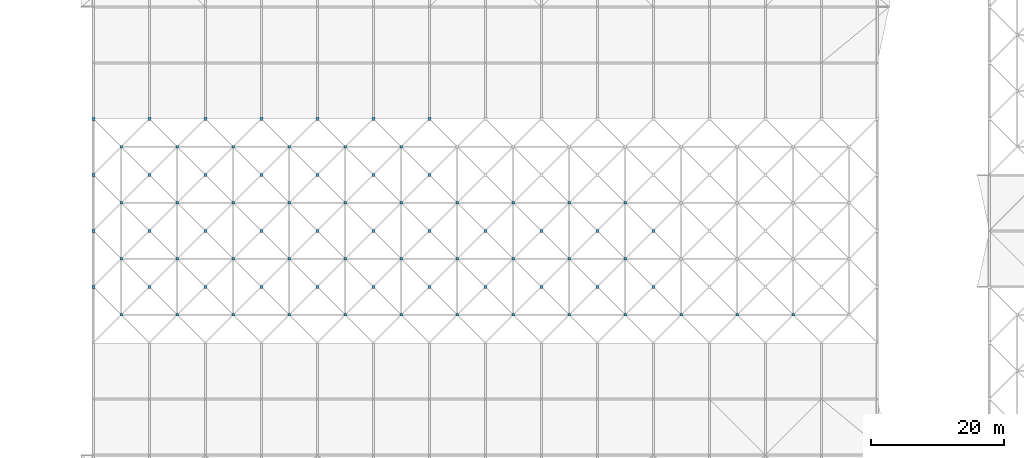
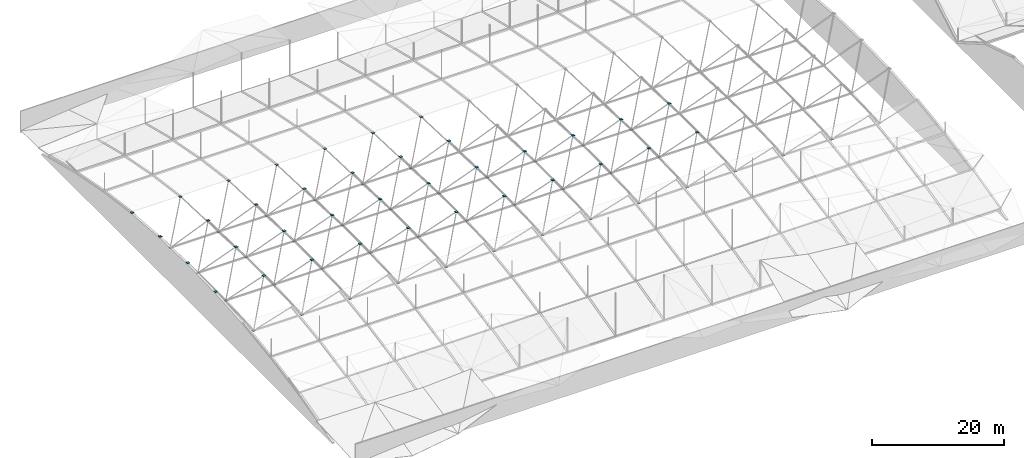
# One storey, part 104 of 111: 75 discrete accessories.
"""IFC4 building model written with IfcOpenShell, lengths in metres."""

from ifc_helpers import new_model, si_unit, direction, frame, origin, origin_2d, place, context, subcontext, project, spatial, rectangle, extrude, material, layer, layer_set, type_object, element, save


model = new_model("IFC4")

# Units and contexts
model_context = context("Model", 3, precision=1e-05, world=origin(), true_north=direction((0.0, 1.0)))
body_context = subcontext(model_context, "Body", "Model", "MODEL_VIEW")
ifc_project = project(units=[si_unit("LENGTHUNIT", "METRE"), si_unit("AREAUNIT", "SQUARE_METRE"), si_unit("VOLUMEUNIT", "CUBIC_METRE"), si_unit("PLANEANGLEUNIT", "RADIAN"), si_unit("MASSUNIT", "GRAM", prefix="KILO")], contexts=[model_context])

# Site, building, storey
site_placement = place(None, origin())
site = spatial("IfcSite", under=ifc_project, at=site_placement, CompositionType="ELEMENT")
building_placement = place(site_placement, origin())
building = spatial("IfcBuilding", under=site, at=building_placement, Name="Rain Tree Exposition and Congress Centre", CompositionType="ELEMENT")
storey_placement = place(building_placement, frame((0.0, 0.0, 19.5)))
storey = spatial("IfcBuildingStorey", under=building, at=storey_placement, Name="RF", CompositionType="ELEMENT", Elevation=19.5)

# Discrete accessories
ifc_material_1 = material(Name="Steel plate S355J2", Category="steel")
ifc_layer_1 = layer(ifc_material_1, 0.02001953125)
ifc_layer_set_1 = layer_set([ifc_layer_1], Name="Steel plate S355J2")
discrete_accessory_type_1 = type_object("IfcDiscreteAccessoryType", Name="Brace node plate 400x400x20", PredefinedType="BRACKET", material=ifc_layer_set_1)
for number, where, z_axis, x_axis, name in (
    (1, (12.60009765625, 138.60009765625, 0.378173828125), (0.0, 0.0, 1.0), (1.0, 0.0, 0.0), "Brace node plate 400"),
    (2, (21.0, 138.60009765625, 0.378173828125), (0.0, 0.0, 1.0), (1.0, 0.0, 0.0), "Brace node plate 400"),
    (3, (29.39990234375, 138.60009765625, 0.378173828125), (0.0, 0.0, 1.0), (1.0, 0.0, 0.0), "Brace node plate 400"),
    (4, (37.800048828125, 138.60009765625, 0.378173828125), (0.0, 0.0, 1.0), (1.0, 0.0, 0.0), "Brace node plate 400"),
    (5, (46.199951171875, 138.60009765625, 0.378173828125), (0.0, 0.0, 1.0), (1.0, 0.0, 0.0), "Brace node plate 400"),
    (6, (54.60009765625, 138.60009765625, 0.378173828125), (0.0, 0.0, 1.0), (1.0, 0.0, 0.0), "Brace node plate 400"),
    (7, (63.0, 138.60009765625, 0.378173828125), (0.0, 0.0, 1.0), (1.0, 0.0, 0.0), "Brace node plate 400"),
    (8, (71.39990234375, 138.60009765625, 0.378173828125), (0.0, 0.0, 1.0), (1.0, 0.0, 0.0), "Brace node plate 400"),
    (9, (79.800048828125, 138.60009765625, 0.378173828125), (0.0, 0.0, 1.0), (1.0, 0.0, 0.0), "Brace node plate 400"),
    (10, (88.199951171875, 138.60009765625, 0.378173828125), (0.0, 0.0, 1.0), (1.0, 0.0, 0.0), "Brace node plate 400"),
    (11, (96.60009765625, 138.60009765625, 0.378173828125), (0.0, 0.0, 1.0), (1.0, 0.0, 0.0), "Brace node plate 400"),
    (12, (105.0, 138.60009765625, 0.378173828125), (0.0, 0.0, 1.0), (1.0, 0.0, 0.0), "Brace node plate 400"),
    (13, (113.39990234375, 138.60009765625, 0.378173828125), (0.0, 0.0, 1.0), (1.0, 0.0, 0.0), "Brace node plate 400"),
    (14, (12.60009765625, 147.0, 0.833251953125), (0.0, 0.0, 1.0), (1.0, 0.0, 0.0), "Brace node plate 400"),
    (15, (21.0, 147.0, 0.833251953125), (0.0, 0.0, 1.0), (1.0, 0.0, 0.0), "Brace node plate 400"),
    (16, (29.39990234375, 147.0, 0.833251953125), (0.0, 0.0, 1.0), (1.0, 0.0, 0.0), "Brace node plate 400"),
    (17, (37.800048828125, 147.0, 0.833251953125), (0.0, 0.0, 1.0), (1.0, 0.0, 0.0), "Brace node plate 400"),
    (18, (46.199951171875, 147.0, 0.833251953125), (0.0, 0.0, 1.0), (1.0, 0.0, 0.0), "Brace node plate 400"),
    (19, (54.60009765625, 147.0, 0.833251953125), (0.0, 0.0, 1.0), (1.0, 0.0, 0.0), "Brace node plate 400"),
    (20, (63.0, 147.0, 0.833251953125), (0.0, 0.0, 1.0), (1.0, 0.0, 0.0), "Brace node plate 400"),
    (21, (71.39990234375, 147.0, 0.833251953125), (0.0, 0.0, 1.0), (1.0, 0.0, 0.0), "Brace node plate 400"),
    (22, (79.800048828125, 147.0, 0.833251953125), (0.0, 0.0, 1.0), (1.0, 0.0, 0.0), "Brace node plate 400"),
    (23, (88.199951171875, 147.0, 0.833251953125), (0.0, 0.0, 1.0), (1.0, 0.0, 0.0), "Brace node plate 400"),
    (24, (12.60009765625, 155.39990234375, 0.833251953125), (0.0, 0.0, 1.0), (1.0, 0.0, 0.0), "Brace node plate 400"),
    (25, (21.0, 155.39990234375, 0.833251953125), (0.0, 0.0, 1.0), (1.0, 0.0, 0.0), "Brace node plate 400"),
    (26, (29.39990234375, 155.39990234375, 0.833251953125), (0.0, 0.0, 1.0), (1.0, 0.0, 0.0), "Brace node plate 400"),
    (27, (37.800048828125, 155.39990234375, 0.833251953125), (0.0, 0.0, 1.0), (1.0, 0.0, 0.0), "Brace node plate 400"),
    (28, (46.199951171875, 155.39990234375, 0.833251953125), (0.0, 0.0, 1.0), (1.0, 0.0, 0.0), "Brace node plate 400"),
    (29, (54.60009765625, 155.39990234375, 0.833251953125), (0.0, 0.0, 1.0), (1.0, 0.0, 0.0), "Brace node plate 400"),
    (30, (63.0, 155.39990234375, 0.833251953125), (0.0, 0.0, 1.0), (1.0, 0.0, 0.0), "Brace node plate 400"),
    (31, (71.39990234375, 155.39990234375, 0.833251953125), (0.0, 0.0, 1.0), (1.0, 0.0, 0.0), "Brace node plate 400"),
    (32, (79.800048828125, 155.39990234375, 0.833251953125), (0.0, 0.0, 1.0), (1.0, 0.0, 0.0), "Brace node plate 400"),
    (33, (88.199951171875, 155.39990234375, 0.833251953125), (0.0, 0.0, 1.0), (1.0, 0.0, 0.0), "Brace node plate 400"),
    (34, (12.60009765625, 163.800048828125, 0.378173828125), (0.0, 0.0, 1.0), (1.0, 0.0, 0.0), "Brace node plate 400"),
    (35, (21.0, 163.800048828125, 0.378173828125), (0.0, 0.0, 1.0), (1.0, 0.0, 0.0), "Brace node plate 400"),
    (36, (29.39990234375, 163.800048828125, 0.378173828125), (0.0, 0.0, 1.0), (1.0, 0.0, 0.0), "Brace node plate 400"),
    (37, (37.800048828125, 163.800048828125, 0.378173828125), (0.0, 0.0, 1.0), (1.0, 0.0, 0.0), "Brace node plate 400"),
    (38, (46.199951171875, 163.800048828125, 0.378173828125), (0.0, 0.0, 1.0), (1.0, 0.0, 0.0), "Brace node plate 400"),
    (39, (54.60009765625, 163.800048828125, 0.378173828125), (0.0, 0.0, 1.0), (1.0, 0.0, 0.0), "Brace node plate 400"),
):
    element("IfcDiscreteAccessory", number, at=place(storey_placement, frame(where, z_axis=z_axis, x_axis=x_axis)), inside=storey, type_object=discrete_accessory_type_1, Name=name, PredefinedType="BRACKET", context=body_context, shape_type="SweptSolid", body=[
        extrude(rectangle(XDim=0.39990234375, YDim=0.39990234375, at=origin_2d()), origin(), (0.0, 0.0, 1.0), 0.02001953125),
    ])
ifc_material_2 = material(Name="Steel plate S355J2", Category="steel")
ifc_layer_2 = layer(ifc_material_2, 0.02001953125)
ifc_layer_set_2 = layer_set([ifc_layer_2], Name="Steel plate S355J2")
discrete_accessory_type_2 = type_object("IfcDiscreteAccessoryType", Name="Brace node plate 450x450x20", PredefinedType="BRACKET", material=ifc_layer_set_2)
for number, where, z_axis, x_axis, name in (
    (40, (8.39990234375, 142.800048828125, 6.5126953125), (0.0, 0.0, 1.0), (1.0, 0.0, 0.0), "Brace node plate 450"),
    (41, (16.800048828125, 142.800048828125, 6.5126953125), (0.0, 0.0, 1.0), (1.0, 0.0, 0.0), "Brace node plate 450"),
    (42, (25.199951171875, 142.800048828125, 6.5126953125), (0.0, 0.0, 1.0), (1.0, 0.0, 0.0), "Brace node plate 450"),
    (43, (33.60009765625, 142.800048828125, 6.5126953125), (0.0, 0.0, 1.0), (1.0, 0.0, 0.0), "Brace node plate 450"),
    (44, (42.0, 142.800048828125, 6.5126953125), (0.0, 0.0, 1.0), (1.0, 0.0, 0.0), "Brace node plate 450"),
    (45, (50.39990234375, 142.800048828125, 6.5126953125), (0.0, 0.0, 1.0), (1.0, 0.0, 0.0), "Brace node plate 450"),
    (46, (58.800048828125, 142.800048828125, 6.5126953125), (0.0, 0.0, 1.0), (1.0, 0.0, 0.0), "Brace node plate 450"),
    (47, (67.199951171875, 142.800048828125, 6.5126953125), (0.0, 0.0, 1.0), (1.0, 0.0, 0.0), "Brace node plate 450"),
    (48, (75.60009765625, 142.800048828125, 6.5126953125), (0.0, 0.0, 1.0), (1.0, 0.0, 0.0), "Brace node plate 450"),
    (49, (84.0, 142.800048828125, 6.5126953125), (0.0, 0.0, 1.0), (1.0, 0.0, 0.0), "Brace node plate 450"),
    (50, (92.39990234375, 142.800048828125, 6.5126953125), (0.0, 0.0, 1.0), (1.0, 0.0, 0.0), "Brace node plate 450"),
    (51, (8.39990234375, 151.199951171875, 6.739990234375), (0.0, 0.0, 1.0), (1.0, 0.0, 0.0), "Brace node plate 450"),
    (52, (16.800048828125, 151.199951171875, 6.739990234375), (0.0, 0.0, 1.0), (1.0, 0.0, 0.0), "Brace node plate 450"),
    (53, (25.199951171875, 151.199951171875, 6.739990234375), (0.0, 0.0, 1.0), (1.0, 0.0, 0.0), "Brace node plate 450"),
    (54, (33.60009765625, 151.199951171875, 6.739990234375), (0.0, 0.0, 1.0), (1.0, 0.0, 0.0), "Brace node plate 450"),
    (55, (42.0, 151.199951171875, 6.739990234375), (0.0, 0.0, 1.0), (1.0, 0.0, 0.0), "Brace node plate 450"),
    (56, (50.39990234375, 151.199951171875, 6.739990234375), (0.0, 0.0, 1.0), (1.0, 0.0, 0.0), "Brace node plate 450"),
    (57, (58.800048828125, 151.199951171875, 6.739990234375), (0.0, 0.0, 1.0), (1.0, 0.0, 0.0), "Brace node plate 450"),
    (58, (67.199951171875, 151.199951171875, 6.739990234375), (0.0, 0.0, 1.0), (1.0, 0.0, 0.0), "Brace node plate 450"),
    (59, (75.60009765625, 151.199951171875, 6.739990234375), (0.0, 0.0, 1.0), (1.0, 0.0, 0.0), "Brace node plate 450"),
    (60, (84.0, 151.199951171875, 6.739990234375), (0.0, 0.0, 1.0), (1.0, 0.0, 0.0), "Brace node plate 450"),
    (61, (92.39990234375, 151.199951171875, 6.739990234375), (0.0, 0.0, 1.0), (1.0, 0.0, 0.0), "Brace node plate 450"),
    (62, (8.39990234375, 159.60009765625, 6.5126953125), (0.0, 0.0, 1.0), (1.0, 0.0, 0.0), "Brace node plate 450"),
    (63, (16.800048828125, 159.60009765625, 6.5126953125), (0.0, 0.0, 1.0), (1.0, 0.0, 0.0), "Brace node plate 450"),
    (64, (25.199951171875, 159.60009765625, 6.5126953125), (0.0, 0.0, 1.0), (1.0, 0.0, 0.0), "Brace node plate 450"),
    (65, (33.60009765625, 159.60009765625, 6.5126953125), (0.0, 0.0, 1.0), (1.0, 0.0, 0.0), "Brace node plate 450"),
    (66, (42.0, 159.60009765625, 6.5126953125), (0.0, 0.0, 1.0), (1.0, 0.0, 0.0), "Brace node plate 450"),
    (67, (50.39990234375, 159.60009765625, 6.5126953125), (0.0, 0.0, 1.0), (1.0, 0.0, 0.0), "Brace node plate 450"),
    (68, (58.800048828125, 159.60009765625, 6.5126953125), (0.0, 0.0, 1.0), (1.0, 0.0, 0.0), "Brace node plate 450"),
    (69, (8.39990234375, 168.0, 5.8291015625), (0.0, 0.0, 1.0), (1.0, 0.0, 0.0), "Brace node plate 450"),
    (70, (16.800048828125, 168.0, 5.8291015625), (0.0, 0.0, 1.0), (1.0, 0.0, 0.0), "Brace node plate 450"),
    (71, (25.199951171875, 168.0, 5.8291015625), (0.0, 0.0, 1.0), (1.0, 0.0, 0.0), "Brace node plate 450"),
    (72, (33.60009765625, 168.0, 5.8291015625), (0.0, 0.0, 1.0), (1.0, 0.0, 0.0), "Brace node plate 450"),
    (73, (42.0, 168.0, 5.8291015625), (0.0, 0.0, 1.0), (1.0, 0.0, 0.0), "Brace node plate 450"),
    (74, (50.39990234375, 168.0, 5.8291015625), (0.0, 0.0, 1.0), (1.0, 0.0, 0.0), "Brace node plate 450"),
    (75, (58.800048828125, 168.0, 5.8291015625), (0.0, 0.0, 1.0), (1.0, 0.0, 0.0), "Brace node plate 450"),
):
    element("IfcDiscreteAccessory", number, at=place(storey_placement, frame(where, z_axis=z_axis, x_axis=x_axis)), inside=storey, type_object=discrete_accessory_type_2, Name=name, PredefinedType="BRACKET", context=body_context, shape_type="SweptSolid", body=[
        extrude(rectangle(XDim=0.449951171875, YDim=0.449951171875, at=origin_2d()), origin(), (0.0, 0.0, 1.0), 0.02001953125),
    ])

save(model, "model.ifc")
